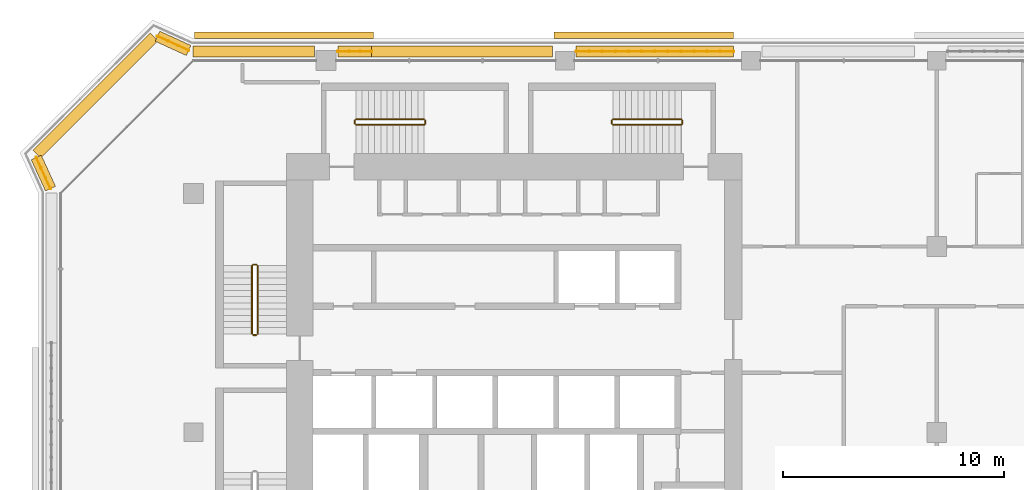
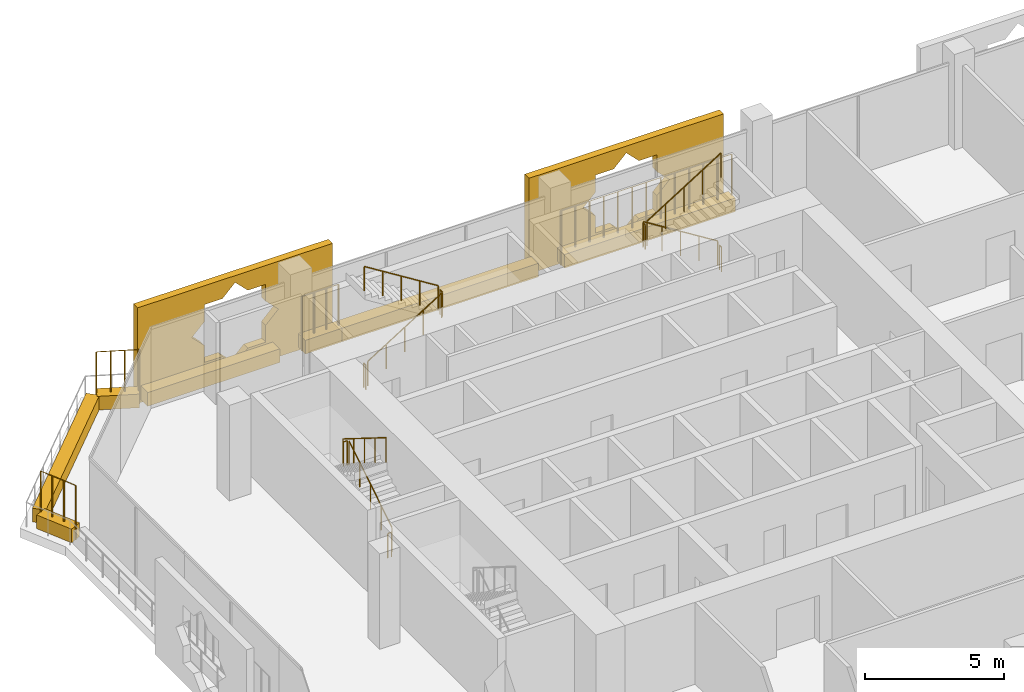
# One storey, part 19 of 21: 16 railings, 9 coverings.
"""IFC4 building model written with IfcOpenShell, lengths in metres."""

from ifc_helpers import new_model, si_unit, direction, frame, origin, origin_2d, place, context, subcontext, project, spatial, polyline, rectangle, circle, outline, extrude, material, material_profile, profile_set, type_object, element, save


model = new_model("IFC4")

# Units and contexts
model_context = context("Model", 3, precision=1e-05, world=origin(), true_north=direction((0.0, 1.0)))
body_context = subcontext(model_context, "Body", "Model", "MODEL_VIEW")
ifc_project = project(units=[si_unit("LENGTHUNIT", "METRE"), si_unit("AREAUNIT", "SQUARE_METRE"), si_unit("VOLUMEUNIT", "CUBIC_METRE"), si_unit("PLANEANGLEUNIT", "RADIAN"), si_unit("MASSUNIT", "GRAM", prefix="KILO")], contexts=[model_context])

# Site, building, storey
site_placement = place(None, origin())
site = spatial("IfcSite", under=ifc_project, at=site_placement, CompositionType="ELEMENT")
building_placement = place(site_placement, origin())
building = spatial("IfcBuilding", under=site, at=building_placement, Name="Kawkab Arch Medical Tower", CompositionType="ELEMENT")
storey_placement = place(building_placement, frame((0.0, 0.0, 260.0)))
storey = spatial("IfcBuildingStorey", under=building, at=storey_placement, Name="L60", CompositionType="ELEMENT", Elevation=260.0)

# Coverings
ifc_material_1 = material(Name="Bronze anodised aluminium mashrabiya panel, eight-point star pattern", Category="aluminium")
ifc_material_profile_1 = material_profile(ifc_material_1, outline(polyline([(-4.050048828125, -2.10009765625), (4.050048828125, -2.10009765625), (4.050048828125, 2.10009765625), (-4.050048828125, 2.10009765625), (-4.050048828125, -2.10009765625)]), holes=[polyline([(1.800048828125, 0.0), (1.272705078125, 0.527099609375), (1.272705078125, 1.272705078125), (0.527099609375, 1.272705078125), (0.0, 1.800048828125), (-0.527099609375, 1.272705078125), (-1.272705078125, 1.272705078125), (-1.272705078125, 0.527099609375), (-1.800048828125, 0.0), (-1.272705078125, -0.527099609375), (-1.272705078125, -1.272705078125), (-0.527099609375, -1.272705078125), (0.0, -1.800048828125), (0.527099609375, -1.272705078125), (1.272705078125, -1.272705078125), (1.272705078125, -0.527099609375), (1.800048828125, 0.0)])]), Name="Mashrabiya panel 8100x4200")
ifc_profile_set_1 = profile_set([ifc_material_profile_1], Name="Bronze anodised aluminium mashrabiya panel, eight-point star pattern")
covering_type_1 = type_object("IfcCoveringType", Name="Mashrabiya panel 8100 x 4200", PredefinedType="USERDEFINED", material=ifc_profile_set_1)
for number, where, z_axis, x_axis, name in (
    (1, (4.089599609375, 1.0, 1.699951171875), (0.0, 1.0, 0.0), (-1.0, 0.0, 0.0), "Mashrabiya panel L60.LOG-01-01.5"),
    (2, (20.3564453125, 1.0, 1.699951171875), (0.0, 1.0, 0.0), (-1.0, 0.0, 0.0), "Mashrabiya panel L60.LOG-01-01.6"),
):
    element("IfcCovering", number, at=place(storey_placement, frame(where, z_axis=z_axis, x_axis=x_axis)), inside=storey, type_object=covering_type_1, Name=name, ObjectType="SCREEN", PredefinedType="USERDEFINED", context=body_context, shape_type="SweptSolid", body=[
        extrude(outline(polyline([(-4.050048828125, -2.10009765625), (4.050048828125, -2.10009765625), (4.050048828125, 2.10009765625), (-4.050048828125, 2.10009765625), (-4.050048828125, -2.10009765625)]), holes=[polyline([(1.800048828125, 0.0), (1.272705078125, 0.527099609375), (1.272705078125, 1.272705078125), (0.527099609375, 1.272705078125), (0.0, 1.800048828125), (-0.527099609375, 1.272705078125), (-1.272705078125, 1.272705078125), (-1.272705078125, 0.527099609375), (-1.800048828125, 0.0), (-1.272705078125, -0.527099609375), (-1.272705078125, -1.272705078125), (-0.527099609375, -1.272705078125), (0.0, -1.800048828125), (0.527099609375, -1.272705078125), (1.272705078125, -1.272705078125), (1.272705078125, -0.527099609375), (1.800048828125, 0.0)])]), origin(), (0.0, 0.0, 1.0), 0.300048828125),
    ])
ifc_material_2 = material(Name="Planting soil in a precast trough", Category="concrete")
ifc_material_profile_2 = material_profile(ifc_material_2, rectangle(XDim=0.5, YDim=0.60009765625, at=origin_2d()), Name="Trough 500x600")
ifc_profile_set_2 = profile_set([ifc_material_profile_2], Name="Planting soil in a precast trough")
covering_type_2 = type_object("IfcCoveringType", Name="Planter trough 500 x 600", PredefinedType="USERDEFINED", material=ifc_profile_set_2)
covering_1_placement = place(storey_placement, frame((-6.4609375, -5.782958984375, 0.300048828125), z_axis=(-0.415363486165, 0.909655525109, 0.0), x_axis=(-0.909655525109, -0.415363486165, 0.0)))
element("IfcCovering", 3, at=covering_1_placement, inside=storey, type_object=covering_type_2, Name="Planter L60.LOG-01-01.13", ObjectType="PLANTER", PredefinedType="USERDEFINED", context=body_context, shape_type="SweptSolid", body=[
    extrude(rectangle(XDim=0.5, YDim=0.60009765625, at=origin_2d()), origin(), (0.0, 0.0, 1.0), 1.54345703125),
])
covering_2_placement = place(storey_placement, frame((-7.072998046875, -4.217041015625, 0.300048828125), z_axis=(0.707106781187, 0.707106781187, 0.0), x_axis=(-0.707106781187, 0.707106781187, 0.0)))
element("IfcCovering", 4, at=covering_2_placement, inside=storey, type_object=covering_type_2, Name="Planter L60.LOG-01-01.14", ObjectType="PLANTER", PredefinedType="USERDEFINED", context=body_context, shape_type="SweptSolid", body=[
    extrude(rectangle(XDim=0.5, YDim=0.60009765625, at=origin_2d()), origin(), (0.0, 0.0, 1.0), 7.481201171875),
])
covering_3_placement = place(storey_placement, frame((-1.62109375, 1.10205078125, 0.300048828125), z_axis=(0.909655525109, -0.415363486165, 0.0), x_axis=(0.415363486165, 0.909655525109, 0.0)))
element("IfcCovering", 5, at=covering_3_placement, inside=storey, type_object=covering_type_2, Name="Planter L60.LOG-01-01.15", ObjectType="PLANTER", PredefinedType="USERDEFINED", context=body_context, shape_type="SweptSolid", body=[
    extrude(rectangle(XDim=0.5, YDim=0.60009765625, at=origin_2d()), origin(), (0.0, 0.0, 1.0), 1.54345703125),
])
covering_4_placement = place(storey_placement, frame((-0.02587890625, 0.419921875, 0.300048828125), z_axis=(1.0, 0.0, 0.0), x_axis=(0.0, 1.0, 0.0)))
element("IfcCovering", 6, at=covering_4_placement, inside=storey, type_object=covering_type_2, Name="Planter L60.LOG-01-01.16", ObjectType="PLANTER", PredefinedType="USERDEFINED", context=body_context, shape_type="SweptSolid", body=[
    extrude(rectangle(XDim=0.5, YDim=0.60009765625, at=origin_2d()), origin(), (0.0, 0.0, 1.0), 5.495849609375),
])
covering_5_placement = place(storey_placement, frame((6.530029296875, 0.419921875, 0.300048828125), z_axis=(1.0, 0.0, 0.0), x_axis=(0.0, 1.0, 0.0)))
element("IfcCovering", 7, at=covering_5_placement, inside=storey, type_object=covering_type_2, Name="Planter L60.LOG-01-01.17", ObjectType="PLANTER", PredefinedType="USERDEFINED", context=body_context, shape_type="SweptSolid", body=[
    extrude(rectangle(XDim=0.5, YDim=0.60009765625, at=origin_2d()), origin(), (0.0, 0.0, 1.0), 1.52294921875),
])
covering_6_placement = place(storey_placement, frame((8.052978515625, 0.419921875, 0.300048828125), z_axis=(1.0, 0.0, 0.0), x_axis=(0.0, 1.0, 0.0)))
element("IfcCovering", 8, at=covering_6_placement, inside=storey, type_object=covering_type_2, Name="Planter L60.LOG-01-01.18", ObjectType="PLANTER", PredefinedType="USERDEFINED", context=body_context, shape_type="SweptSolid", body=[
    extrude(rectangle(XDim=0.5, YDim=0.60009765625, at=origin_2d()), origin(), (0.0, 0.0, 1.0), 8.178955078125),
])
covering_7_placement = place(storey_placement, frame((17.304931640625, 0.419921875, 0.300048828125), z_axis=(1.0, 0.0, 0.0), x_axis=(0.0, 1.0, 0.0)))
element("IfcCovering", 9, at=covering_7_placement, inside=storey, type_object=covering_type_2, Name="Planter L60.LOG-01-01.19", ObjectType="PLANTER", PredefinedType="USERDEFINED", context=body_context, shape_type="SweptSolid", body=[
    extrude(rectangle(XDim=0.5, YDim=0.60009765625, at=origin_2d()), origin(), (0.0, 0.0, 1.0), 7.10595703125),
])

# Railings
ifc_material_3 = material(Name="Bronze anodised aluminium trellis for climbing plants", Category="aluminium")
railing_type_1 = type_object("IfcRailingType", Name="Planting trellis 2400", PredefinedType="USERDEFINED", material=ifc_material_3)
railing_1_placement = place(storey_placement, frame((-6.4609375, -5.782958984375, 0.0)))
element("IfcRailing", 10, at=railing_1_placement, inside=storey, type_object=railing_type_1, Name="Planting trellis L60.LOG-01-01.13", ObjectType="TRELLIS", PredefinedType="USERDEFINED", context=body_context, shape_type="SweptSolid", body=[
    extrude(circle(Radius=0.01513671875, at=origin_2d()), frame((0.0, 0.0, 2.384765625), z_axis=(-0.415363486165, 0.909655525109, 0.0), x_axis=(-0.909655525109, -0.415363486165, 0.0)), (0.0, 0.0, 1.0), 1.54345703125),
    extrude(circle(Radius=0.030029296875, at=origin_2d()), origin(), (0.0, 0.0, 1.0), 2.369873046875),
    extrude(circle(Radius=0.030029296875, at=origin_2d()), frame((-0.213623046875, 0.468017578125, 0.0)), (0.0, 0.0, 1.0), 2.369873046875),
    extrude(circle(Radius=0.030029296875, at=origin_2d()), frame((-0.427490234375, 0.93603515625, 0.0)), (0.0, 0.0, 1.0), 2.369873046875),
    extrude(circle(Radius=0.030029296875, at=origin_2d()), frame((-0.64111328125, 1.404052734375, 0.0)), (0.0, 0.0, 1.0), 2.369873046875),
])
railing_2_placement = place(storey_placement, frame((-1.62109375, 1.10205078125, 0.0)))
element("IfcRailing", 11, at=railing_2_placement, inside=storey, type_object=railing_type_1, Name="Planting trellis L60.LOG-01-01.15", ObjectType="TRELLIS", PredefinedType="USERDEFINED", context=body_context, shape_type="SweptSolid", body=[
    extrude(circle(Radius=0.01513671875, at=origin_2d()), frame((0.0, 0.0, 2.384765625), z_axis=(0.909655525109, -0.415363486165, 0.0), x_axis=(0.415363486165, 0.909655525109, 0.0)), (0.0, 0.0, 1.0), 1.54345703125),
    extrude(circle(Radius=0.030029296875, at=origin_2d()), origin(), (0.0, 0.0, 1.0), 2.369873046875),
    extrude(circle(Radius=0.030029296875, at=origin_2d()), frame((0.468017578125, -0.213623046875, 0.0)), (0.0, 0.0, 1.0), 2.369873046875),
    extrude(circle(Radius=0.030029296875, at=origin_2d()), frame((0.93603515625, -0.427490234375, 0.0)), (0.0, 0.0, 1.0), 2.369873046875),
    extrude(circle(Radius=0.030029296875, at=origin_2d()), frame((1.404052734375, -0.64111328125, 0.0)), (0.0, 0.0, 1.0), 2.369873046875),
])
railing_3_placement = place(storey_placement, frame((6.530029296875, 0.419921875, 0.0)))
element("IfcRailing", 12, at=railing_3_placement, inside=storey, type_object=railing_type_1, Name="Planting trellis L60.LOG-01-01.17", ObjectType="TRELLIS", PredefinedType="USERDEFINED", context=body_context, shape_type="SweptSolid", body=[
    extrude(circle(Radius=0.01513671875, at=origin_2d()), frame((0.0, 0.0, 2.384765625), z_axis=(1.0, 0.0, 0.0), x_axis=(0.0, 1.0, 0.0)), (0.0, 0.0, 1.0), 1.52294921875),
    extrude(circle(Radius=0.030029296875, at=origin_2d()), origin(), (0.0, 0.0, 1.0), 2.369873046875),
    extrude(circle(Radius=0.030029296875, at=origin_2d()), frame((0.507568359375, 0.0, 0.0)), (0.0, 0.0, 1.0), 2.369873046875),
    extrude(circle(Radius=0.030029296875, at=origin_2d()), frame((1.015380859375, 0.0, 0.0)), (0.0, 0.0, 1.0), 2.369873046875),
    extrude(circle(Radius=0.030029296875, at=origin_2d()), frame((1.52294921875, 0.0, 0.0)), (0.0, 0.0, 1.0), 2.369873046875),
])
railing_4_placement = place(storey_placement, frame((17.304931640625, 0.419921875, 0.0)))
element("IfcRailing", 13, at=railing_4_placement, inside=storey, type_object=railing_type_1, Name="Planting trellis L60.LOG-01-01.19", ObjectType="TRELLIS", PredefinedType="USERDEFINED", context=body_context, shape_type="SweptSolid", body=[
    extrude(circle(Radius=0.01513671875, at=origin_2d()), frame((0.0, 0.0, 2.384765625), z_axis=(1.0, 0.0, 0.0), x_axis=(0.0, 1.0, 0.0)), (0.0, 0.0, 1.0), 7.10595703125),
    extrude(circle(Radius=0.030029296875, at=origin_2d()), origin(), (0.0, 0.0, 1.0), 2.369873046875),
    extrude(circle(Radius=0.030029296875, at=origin_2d()), frame((0.59228515625, 0.0, 0.0)), (0.0, 0.0, 1.0), 2.369873046875),
    extrude(circle(Radius=0.030029296875, at=origin_2d()), frame((1.184326171875, 0.0, 0.0)), (0.0, 0.0, 1.0), 2.369873046875),
    extrude(circle(Radius=0.030029296875, at=origin_2d()), frame((1.7763671875, 0.0, 0.0)), (0.0, 0.0, 1.0), 2.369873046875),
    extrude(circle(Radius=0.030029296875, at=origin_2d()), frame((2.36865234375, 0.0, 0.0)), (0.0, 0.0, 1.0), 2.369873046875),
    extrude(circle(Radius=0.030029296875, at=origin_2d()), frame((2.9609375, 0.0, 0.0)), (0.0, 0.0, 1.0), 2.369873046875),
    extrude(circle(Radius=0.030029296875, at=origin_2d()), frame((3.552978515625, 0.0, 0.0)), (0.0, 0.0, 1.0), 2.369873046875),
    extrude(circle(Radius=0.030029296875, at=origin_2d()), frame((4.14501953125, 0.0, 0.0)), (0.0, 0.0, 1.0), 2.369873046875),
    extrude(circle(Radius=0.030029296875, at=origin_2d()), frame((4.7373046875, 0.0, 0.0)), (0.0, 0.0, 1.0), 2.369873046875),
    extrude(circle(Radius=0.030029296875, at=origin_2d()), frame((5.32958984375, 0.0, 0.0)), (0.0, 0.0, 1.0), 2.369873046875),
    extrude(circle(Radius=0.030029296875, at=origin_2d()), frame((5.921630859375, 0.0, 0.0)), (0.0, 0.0, 1.0), 2.369873046875),
    extrude(circle(Radius=0.030029296875, at=origin_2d()), frame((6.513671875, 0.0, 0.0)), (0.0, 0.0, 1.0), 2.369873046875),
    extrude(circle(Radius=0.030029296875, at=origin_2d()), frame((7.10595703125, 0.0, 0.0)), (0.0, 0.0, 1.0), 2.369873046875),
])
ifc_material_4 = material(Name="Stainless steel", Category="steel")
railing_type_2 = type_object("IfcRailingType", Name="Stair guard 1100", PredefinedType="GUARDRAIL", material=ifc_material_4)
railing_5_placement = place(storey_placement, frame((2.89990234375, -12.35009765625, 0.175048828125)))
element("IfcRailing", 14, at=railing_5_placement, inside=storey, type_object=railing_type_2, Name="L60 ST1 stair guard 1", PredefinedType="GUARDRAIL", context=body_context, shape_type="SweptSolid", body=[
    extrude(circle(Radius=0.02392578125, at=origin_2d()), frame((0.0, 0.0, 1.076171875), z_axis=(0.0, 0.847998304005, 0.529998940003), x_axis=(-1.0, 0.0, 0.0)), (0.0, 0.0, 1.0), 3.632080078125),
    extrude(circle(Radius=0.02099609375, at=origin_2d()), origin(), (0.0, 0.0, 1.0), 1.052001953125),
    extrude(circle(Radius=0.02099609375, at=origin_2d()), frame((0.0, 0.77001953125, 0.481201171875)), (0.0, 0.0, 1.0), 1.052001953125),
    extrude(circle(Radius=0.02099609375, at=origin_2d()), frame((0.0, 1.5400390625, 0.96240234375)), (0.0, 0.0, 1.0), 1.052001953125),
    extrude(circle(Radius=0.02099609375, at=origin_2d()), frame((0.0, 2.31005859375, 1.44384765625)), (0.0, 0.0, 1.0), 1.052001953125),
    extrude(circle(Radius=0.02099609375, at=origin_2d()), frame((0.0, 3.080078125, 1.925048828125)), (0.0, 0.0, 1.0), 1.052001953125),
])
railing_6_placement = place(storey_placement, frame((2.85009765625, -9.219970703125, 2.10009765625)))
element("IfcRailing", 15, at=railing_6_placement, inside=storey, type_object=railing_type_2, Name="L60 ST1 stair guard 2", PredefinedType="GUARDRAIL", context=body_context, shape_type="SweptSolid", body=[
    extrude(circle(Radius=0.02392578125, at=origin_2d()), frame((0.0, 0.0, 1.076171875), z_axis=(-1.0, 0.0, 0.0), x_axis=(0.0, -1.0, 0.0)), (0.0, 0.0, 1.0), 0.150146484375),
    extrude(circle(Radius=0.02099609375, at=origin_2d()), origin(), (0.0, 0.0, 1.0), 1.052001953125),
    extrude(circle(Radius=0.02099609375, at=origin_2d()), frame((-0.150146484375, 0.0, 0.0)), (0.0, 0.0, 1.0), 1.052001953125),
])
railing_7_placement = place(storey_placement, frame((2.64990234375, -9.27001953125, 2.27490234375)))
element("IfcRailing", 16, at=railing_7_placement, inside=storey, type_object=railing_type_2, Name="L60 ST1 stair guard 3", PredefinedType="GUARDRAIL", context=body_context, shape_type="SweptSolid", body=[
    extrude(circle(Radius=0.02392578125, at=origin_2d()), frame((0.0, 0.0, 1.076171875), z_axis=(0.0, -0.847998304005, 0.529998940003), x_axis=(1.0, 0.0, 0.0)), (0.0, 0.0, 1.0), 3.632080078125),
    extrude(circle(Radius=0.02099609375, at=origin_2d()), origin(), (0.0, 0.0, 1.0), 1.052001953125),
    extrude(circle(Radius=0.02099609375, at=origin_2d()), frame((0.0, -0.77001953125, 0.481201171875)), (0.0, 0.0, 1.0), 1.052001953125),
    extrude(circle(Radius=0.02099609375, at=origin_2d()), frame((0.0, -1.5400390625, 0.96240234375)), (0.0, 0.0, 1.0), 1.052001953125),
    extrude(circle(Radius=0.02099609375, at=origin_2d()), frame((0.0, -2.31005859375, 1.44384765625)), (0.0, 0.0, 1.0), 1.052001953125),
    extrude(circle(Radius=0.02099609375, at=origin_2d()), frame((0.0, -3.080078125, 1.925048828125)), (0.0, 0.0, 1.0), 1.052001953125),
])
railing_8_placement = place(storey_placement, frame((2.85009765625, -12.39990234375, 0.0)))
element("IfcRailing", 17, at=railing_8_placement, inside=storey, type_object=railing_type_2, Name="L60 ST1 stair guard 4", PredefinedType="GUARDRAIL", context=body_context, shape_type="SweptSolid", body=[
    extrude(circle(Radius=0.02392578125, at=origin_2d()), frame((0.0, 0.0, 1.076171875), z_axis=(-1.0, 0.0, 0.0), x_axis=(0.0, -1.0, 0.0)), (0.0, 0.0, 1.0), 0.150146484375),
    extrude(circle(Radius=0.02099609375, at=origin_2d()), origin(), (0.0, 0.0, 1.0), 1.052001953125),
    extrude(circle(Radius=0.02099609375, at=origin_2d()), frame((-0.150146484375, 0.0, 0.0)), (0.0, 0.0, 1.0), 1.052001953125),
])
railing_9_placement = place(storey_placement, frame((7.35009765625, -2.89990234375, 0.175048828125)))
element("IfcRailing", 18, at=railing_9_placement, inside=storey, type_object=railing_type_2, Name="L60 ST3 stair guard 1", PredefinedType="GUARDRAIL", context=body_context, shape_type="SweptSolid", body=[
    extrude(circle(Radius=0.02392578125, at=origin_2d()), frame((0.0, 0.0, 1.076171875), z_axis=(0.847979421464, 0.0, 0.530029150871), x_axis=(0.0, 1.0, 0.0)), (0.0, 0.0, 1.0), 3.632080078125),
    extrude(circle(Radius=0.02099609375, at=origin_2d()), origin(), (0.0, 0.0, 1.0), 1.052001953125),
    extrude(circle(Radius=0.02099609375, at=origin_2d()), frame((0.77001953125, 0.0, 0.481201171875)), (0.0, 0.0, 1.0), 1.052001953125),
    extrude(circle(Radius=0.02099609375, at=origin_2d()), frame((1.5400390625, 0.0, 0.96240234375)), (0.0, 0.0, 1.0), 1.052001953125),
    extrude(circle(Radius=0.02099609375, at=origin_2d()), frame((2.309814453125, 0.0, 1.44384765625)), (0.0, 0.0, 1.0), 1.052001953125),
    extrude(circle(Radius=0.02099609375, at=origin_2d()), frame((3.079833984375, 0.0, 1.925048828125)), (0.0, 0.0, 1.0), 1.052001953125),
])
railing_10_placement = place(storey_placement, frame((10.47998046875, -2.85009765625, 2.10009765625)))
element("IfcRailing", 19, at=railing_10_placement, inside=storey, type_object=railing_type_2, Name="L60 ST3 stair guard 2", PredefinedType="GUARDRAIL", context=body_context, shape_type="SweptSolid", body=[
    extrude(circle(Radius=0.02392578125, at=origin_2d()), frame((0.0, 0.0, 1.076171875), z_axis=(0.0, 1.0, 0.0), x_axis=(-1.0, 0.0, 0.0)), (0.0, 0.0, 1.0), 0.150146484375),
    extrude(circle(Radius=0.02099609375, at=origin_2d()), origin(), (0.0, 0.0, 1.0), 1.052001953125),
    extrude(circle(Radius=0.02099609375, at=origin_2d()), frame((0.0, 0.150146484375, 0.0)), (0.0, 0.0, 1.0), 1.052001953125),
])
railing_11_placement = place(storey_placement, frame((10.429931640625, -2.64990234375, 2.27490234375)))
element("IfcRailing", 20, at=railing_11_placement, inside=storey, type_object=railing_type_2, Name="L60 ST3 stair guard 3", PredefinedType="GUARDRAIL", context=body_context, shape_type="SweptSolid", body=[
    extrude(circle(Radius=0.02392578125, at=origin_2d()), frame((0.0, 0.0, 1.076171875), z_axis=(-0.847979421464, 0.0, 0.530029150871), x_axis=(0.0, -1.0, 0.0)), (0.0, 0.0, 1.0), 3.632080078125),
    extrude(circle(Radius=0.02099609375, at=origin_2d()), origin(), (0.0, 0.0, 1.0), 1.052001953125),
    extrude(circle(Radius=0.02099609375, at=origin_2d()), frame((-0.77001953125, 0.0, 0.481201171875)), (0.0, 0.0, 1.0), 1.052001953125),
    extrude(circle(Radius=0.02099609375, at=origin_2d()), frame((-1.5400390625, 0.0, 0.96240234375)), (0.0, 0.0, 1.0), 1.052001953125),
    extrude(circle(Radius=0.02099609375, at=origin_2d()), frame((-2.309814453125, 0.0, 1.44384765625)), (0.0, 0.0, 1.0), 1.052001953125),
    extrude(circle(Radius=0.02099609375, at=origin_2d()), frame((-3.079833984375, 0.0, 1.925048828125)), (0.0, 0.0, 1.0), 1.052001953125),
])
railing_12_placement = place(storey_placement, frame((7.300048828125, -2.85009765625, 0.0)))
element("IfcRailing", 21, at=railing_12_placement, inside=storey, type_object=railing_type_2, Name="L60 ST3 stair guard 4", PredefinedType="GUARDRAIL", context=body_context, shape_type="SweptSolid", body=[
    extrude(circle(Radius=0.02392578125, at=origin_2d()), frame((0.0, 0.0, 1.076171875), z_axis=(0.0, 1.0, 0.0), x_axis=(-1.0, 0.0, 0.0)), (0.0, 0.0, 1.0), 0.150146484375),
    extrude(circle(Radius=0.02099609375, at=origin_2d()), origin(), (0.0, 0.0, 1.0), 1.052001953125),
    extrude(circle(Radius=0.02099609375, at=origin_2d()), frame((0.0, 0.150146484375, 0.0)), (0.0, 0.0, 1.0), 1.052001953125),
])
railing_13_placement = place(storey_placement, frame((22.050048828125, -2.64990234375, 0.175048828125)))
element("IfcRailing", 22, at=railing_13_placement, inside=storey, type_object=railing_type_2, Name="L60 ST4 stair guard 1", PredefinedType="GUARDRAIL", context=body_context, shape_type="SweptSolid", body=[
    extrude(circle(Radius=0.02392578125, at=origin_2d()), frame((0.0, 0.0, 1.076171875), z_axis=(-0.847998304005, 0.0, 0.529998940003), x_axis=(0.0, -1.0, 0.0)), (0.0, 0.0, 1.0), 3.632080078125),
    extrude(circle(Radius=0.02099609375, at=origin_2d()), origin(), (0.0, 0.0, 1.0), 1.052001953125),
    extrude(circle(Radius=0.02099609375, at=origin_2d()), frame((-0.77001953125, 0.0, 0.481201171875)), (0.0, 0.0, 1.0), 1.052001953125),
    extrude(circle(Radius=0.02099609375, at=origin_2d()), frame((-1.5400390625, 0.0, 0.96240234375)), (0.0, 0.0, 1.0), 1.052001953125),
    extrude(circle(Radius=0.02099609375, at=origin_2d()), frame((-2.31005859375, 0.0, 1.44384765625)), (0.0, 0.0, 1.0), 1.052001953125),
    extrude(circle(Radius=0.02099609375, at=origin_2d()), frame((-3.080078125, 0.0, 1.925048828125)), (0.0, 0.0, 1.0), 1.052001953125),
])
railing_14_placement = place(storey_placement, frame((18.919921875, -2.699951171875, 2.10009765625)))
element("IfcRailing", 23, at=railing_14_placement, inside=storey, type_object=railing_type_2, Name="L60 ST4 stair guard 2", PredefinedType="GUARDRAIL", context=body_context, shape_type="SweptSolid", body=[
    extrude(circle(Radius=0.02392578125, at=origin_2d()), frame((0.0, 0.0, 1.076171875), z_axis=(0.0, -1.0, 0.0), x_axis=(1.0, 0.0, 0.0)), (0.0, 0.0, 1.0), 0.150146484375),
    extrude(circle(Radius=0.02099609375, at=origin_2d()), origin(), (0.0, 0.0, 1.0), 1.052001953125),
    extrude(circle(Radius=0.02099609375, at=origin_2d()), frame((0.0, -0.150146484375, 0.0)), (0.0, 0.0, 1.0), 1.052001953125),
])
railing_15_placement = place(storey_placement, frame((18.969970703125, -2.89990234375, 2.27490234375)))
element("IfcRailing", 24, at=railing_15_placement, inside=storey, type_object=railing_type_2, Name="L60 ST4 stair guard 3", PredefinedType="GUARDRAIL", context=body_context, shape_type="SweptSolid", body=[
    extrude(circle(Radius=0.02392578125, at=origin_2d()), frame((0.0, 0.0, 1.076171875), z_axis=(0.847998304005, 0.0, 0.529998940003), x_axis=(0.0, 1.0, 0.0)), (0.0, 0.0, 1.0), 3.632080078125),
    extrude(circle(Radius=0.02099609375, at=origin_2d()), origin(), (0.0, 0.0, 1.0), 1.052001953125),
    extrude(circle(Radius=0.02099609375, at=origin_2d()), frame((0.77001953125, 0.0, 0.481201171875)), (0.0, 0.0, 1.0), 1.052001953125),
    extrude(circle(Radius=0.02099609375, at=origin_2d()), frame((1.5400390625, 0.0, 0.96240234375)), (0.0, 0.0, 1.0), 1.052001953125),
    extrude(circle(Radius=0.02099609375, at=origin_2d()), frame((2.31005859375, 0.0, 1.44384765625)), (0.0, 0.0, 1.0), 1.052001953125),
    extrude(circle(Radius=0.02099609375, at=origin_2d()), frame((3.080078125, 0.0, 1.925048828125)), (0.0, 0.0, 1.0), 1.052001953125),
])
railing_16_placement = place(storey_placement, frame((22.10009765625, -2.699951171875, 0.0)))
element("IfcRailing", 25, at=railing_16_placement, inside=storey, type_object=railing_type_2, Name="L60 ST4 stair guard 4", PredefinedType="GUARDRAIL", context=body_context, shape_type="SweptSolid", body=[
    extrude(circle(Radius=0.02392578125, at=origin_2d()), frame((0.0, 0.0, 1.076171875), z_axis=(0.0, -1.0, 0.0), x_axis=(1.0, 0.0, 0.0)), (0.0, 0.0, 1.0), 0.150146484375),
    extrude(circle(Radius=0.02099609375, at=origin_2d()), origin(), (0.0, 0.0, 1.0), 1.052001953125),
    extrude(circle(Radius=0.02099609375, at=origin_2d()), frame((0.0, -0.150146484375, 0.0)), (0.0, 0.0, 1.0), 1.052001953125),
])

save(model, "model.ifc")
